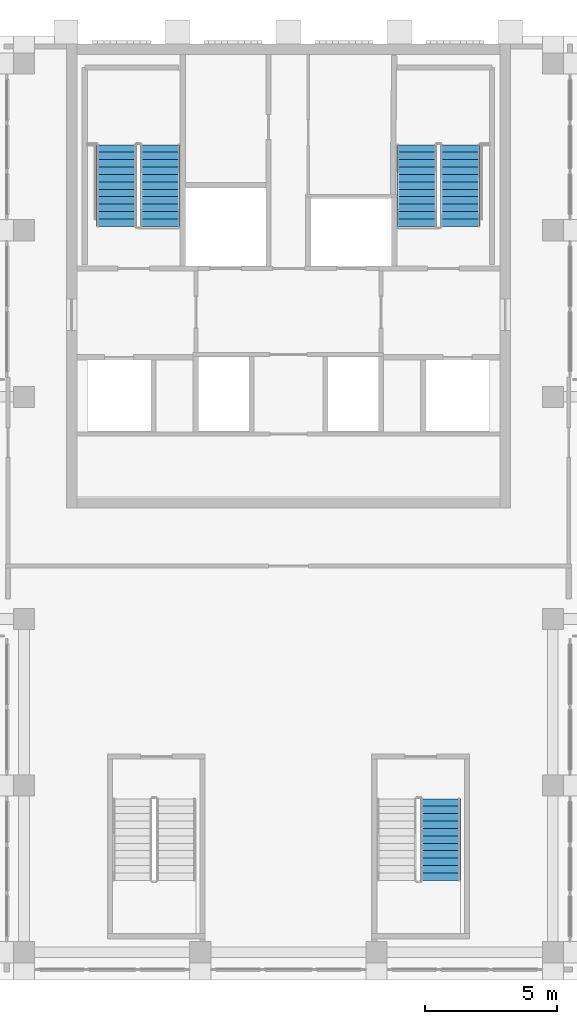
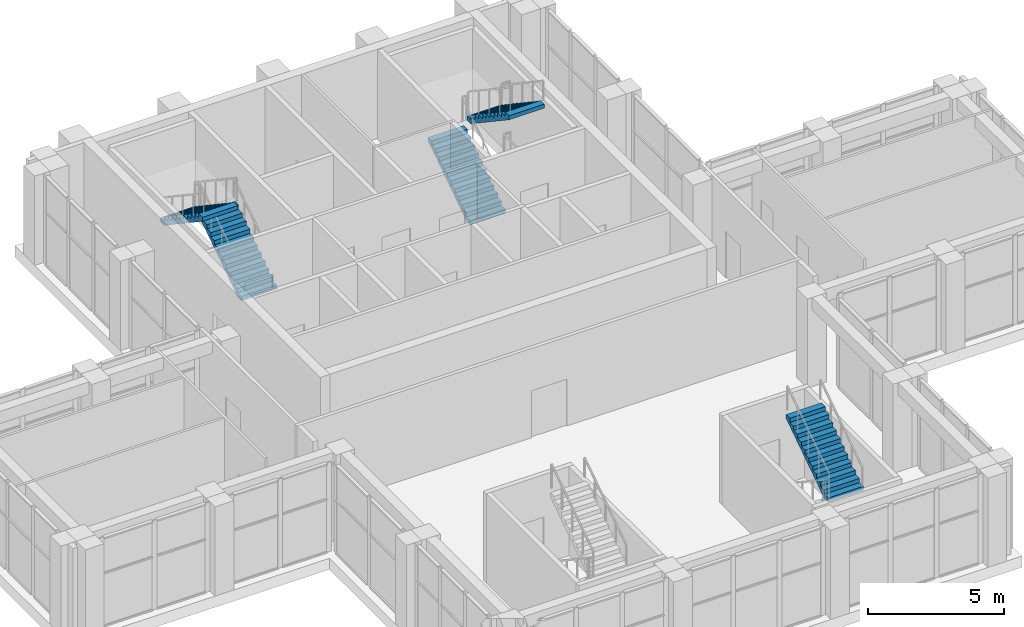
# One storey, part 11 of 14: 5 stair flights, 3 elements without a shape of their own.
"""IFC4 building model written with IfcOpenShell, lengths in metres."""

from ifc_helpers import new_model, si_unit, direction, frame, origin, place, context, subcontext, project, spatial, polyline, outline, extrude, material, type_object, element, aggregate, save


model = new_model("IFC4")

# Units and contexts
model_context = context("Model", 3, precision=1e-05, world=origin(), true_north=direction((0.0, 1.0)))
body_context = subcontext(model_context, "Body", "Model", "MODEL_VIEW")
ifc_project = project(units=[si_unit("LENGTHUNIT", "METRE"), si_unit("AREAUNIT", "SQUARE_METRE"), si_unit("VOLUMEUNIT", "CUBIC_METRE"), si_unit("PLANEANGLEUNIT", "RADIAN"), si_unit("MASSUNIT", "GRAM", prefix="KILO")], contexts=[model_context])

# Site, building, storey
site_placement = place(None, origin())
site = spatial("IfcSite", under=ifc_project, at=site_placement, CompositionType="ELEMENT")
building_placement = place(site_placement, origin())
building = spatial("IfcBuilding", under=site, at=building_placement, Name="Vermilion Ogive Tower", CompositionType="ELEMENT")
storey_placement = place(building_placement, frame((0.0, 0.0, 289.35009765625)))
storey = spatial("IfcBuildingStorey", under=building, at=storey_placement, Name="L75", CompositionType="ELEMENT", Elevation=289.35009765625)

# Stair, stair flights
ifc_material_1 = material(Name="Concrete B40", Category="concrete")
stair_type = type_object("IfcStairType", Name="Exit stair 1500", PredefinedType="HALF_TURN_STAIR", material=ifc_material_1)
stair_1_placement = place(storey_placement, origin())
stair_1 = element("IfcStair", 1, at=stair_1_placement, inside=storey, type_object=stair_type, Name="L75 Exit Stair ST1", PredefinedType="HALF_TURN_STAIR")
ifc_material_2 = material(Name="Concrete B40", Category="concrete")
stair_flight_type = type_object("IfcStairFlightType", Name="Stair flight 1500", PredefinedType="STRAIGHT", material=ifc_material_2)
stair_flight_1_placement = place(storey_placement, frame((-4.85009765625, 14.85009765625, 0.0), z_axis=(0.0, 0.0, 1.0), x_axis=(0.0, 1.0, 0.0)))
stair_flight_1 = element("IfcStairFlight", 2, at=stair_flight_1_placement, type_object=stair_flight_type, Name="ST1 flight 1", NumberOfRisers=12, NumberOfTreads=11, PredefinedType="STRAIGHT", RiserHeight=0.1875, TreadLength=0.28, context=body_context, shape_type="SweptSolid", body=[
    extrude(outline(polyline([(0.0, 0.0), (0.0, 0.1875), (0.280029296875, 0.1875), (0.280029296875, 0.375), (0.56005859375, 0.375), (0.56005859375, 0.5625), (0.840087890625, 0.5625), (0.840087890625, 0.75), (1.1201171875, 0.75), (1.1201171875, 0.9375), (1.39990234375, 0.9375), (1.39990234375, 1.125), (1.679931640625, 1.125), (1.679931640625, 1.3125), (1.9599609375, 1.3125), (1.9599609375, 1.5), (2.239990234375, 1.5), (2.239990234375, 1.6875), (2.52001953125, 1.6875), (2.52001953125, 1.875), (2.800048828125, 1.875), (2.800048828125, 2.0625), (3.080078125, 2.0625), (3.080078125, 2.25), (3.080078125, 1.882080078125), (0.26953125, 0.0), (0.0, 0.0)])), frame((0.0, 0.75, 0.0), z_axis=(0.0, -1.0, 0.0), x_axis=(1.0, 0.0, 0.0)), (0.0, 0.0, 1.0), 1.5),
])
stair_flight_2_placement = place(storey_placement, frame((-6.5, 17.929931640625, 2.25), z_axis=(0.0, 0.0, 1.0), x_axis=(0.0, -1.0, 0.0)))
stair_flight_2 = element("IfcStairFlight", 3, at=stair_flight_2_placement, type_object=stair_flight_type, Name="ST1 flight 2", NumberOfRisers=12, NumberOfTreads=11, PredefinedType="STRAIGHT", RiserHeight=0.1875, TreadLength=0.28, context=body_context, shape_type="SweptSolid", body=[
    extrude(outline(polyline([(0.0, 0.0), (0.0, 0.1875), (0.280029296875, 0.1875), (0.280029296875, 0.375), (0.56005859375, 0.375), (0.56005859375, 0.5625), (0.840087890625, 0.5625), (0.840087890625, 0.75), (1.1201171875, 0.75), (1.1201171875, 0.9375), (1.39990234375, 0.9375), (1.39990234375, 1.125), (1.679931640625, 1.125), (1.679931640625, 1.3125), (1.9599609375, 1.3125), (1.9599609375, 1.5), (2.239990234375, 1.5), (2.239990234375, 1.6875), (2.52001953125, 1.6875), (2.52001953125, 1.875), (2.800048828125, 1.875), (2.800048828125, 2.0625), (3.080078125, 2.0625), (3.080078125, 2.25), (3.080078125, 1.882080078125), (0.26953125, 0.0), (0.0, 0.0)])), frame((0.0, 0.75, 0.0), z_axis=(0.0, -1.0, 0.0), x_axis=(1.0, 0.0, 0.0)), (0.0, 0.0, 1.0), 1.5),
])
aggregate(stair_1, [stair_flight_1, stair_flight_2])

stair_2_placement = place(storey_placement, origin())
stair_2 = element("IfcStair", 4, at=stair_2_placement, inside=storey, type_object=stair_type, Name="L75 Exit Stair ST2", PredefinedType="HALF_TURN_STAIR")
stair_flight_3_placement = place(storey_placement, frame((4.85009765625, 14.85009765625, 0.0), z_axis=(0.0, 0.0, 1.0), x_axis=(0.0, 1.0, 0.0)))
stair_flight_3 = element("IfcStairFlight", 5, at=stair_flight_3_placement, type_object=stair_flight_type, Name="ST2 flight 1", NumberOfRisers=12, NumberOfTreads=11, PredefinedType="STRAIGHT", RiserHeight=0.1875, TreadLength=0.28, context=body_context, shape_type="SweptSolid", body=[
    extrude(outline(polyline([(0.0, 0.0), (0.0, 0.1875), (0.280029296875, 0.1875), (0.280029296875, 0.375), (0.56005859375, 0.375), (0.56005859375, 0.5625), (0.840087890625, 0.5625), (0.840087890625, 0.75), (1.1201171875, 0.75), (1.1201171875, 0.9375), (1.39990234375, 0.9375), (1.39990234375, 1.125), (1.679931640625, 1.125), (1.679931640625, 1.3125), (1.9599609375, 1.3125), (1.9599609375, 1.5), (2.239990234375, 1.5), (2.239990234375, 1.6875), (2.52001953125, 1.6875), (2.52001953125, 1.875), (2.800048828125, 1.875), (2.800048828125, 2.0625), (3.080078125, 2.0625), (3.080078125, 2.25), (3.080078125, 1.882080078125), (0.26953125, 0.0), (0.0, 0.0)])), frame((0.0, 0.75, 0.0), z_axis=(0.0, -1.0, 0.0), x_axis=(1.0, 0.0, 0.0)), (0.0, 0.0, 1.0), 1.5),
])
stair_flight_4_placement = place(storey_placement, frame((6.5, 17.929931640625, 2.25), z_axis=(0.0, 0.0, 1.0), x_axis=(0.0, -1.0, 0.0)))
stair_flight_4 = element("IfcStairFlight", 6, at=stair_flight_4_placement, type_object=stair_flight_type, Name="ST2 flight 2", NumberOfRisers=12, NumberOfTreads=11, PredefinedType="STRAIGHT", RiserHeight=0.1875, TreadLength=0.28, context=body_context, shape_type="SweptSolid", body=[
    extrude(outline(polyline([(0.0, 0.0), (0.0, 0.1875), (0.280029296875, 0.1875), (0.280029296875, 0.375), (0.56005859375, 0.375), (0.56005859375, 0.5625), (0.840087890625, 0.5625), (0.840087890625, 0.75), (1.1201171875, 0.75), (1.1201171875, 0.9375), (1.39990234375, 0.9375), (1.39990234375, 1.125), (1.679931640625, 1.125), (1.679931640625, 1.3125), (1.9599609375, 1.3125), (1.9599609375, 1.5), (2.239990234375, 1.5), (2.239990234375, 1.6875), (2.52001953125, 1.6875), (2.52001953125, 1.875), (2.800048828125, 1.875), (2.800048828125, 2.0625), (3.080078125, 2.0625), (3.080078125, 2.25), (3.080078125, 1.882080078125), (0.26953125, 0.0), (0.0, 0.0)])), frame((0.0, 0.75, 0.0), z_axis=(0.0, -1.0, 0.0), x_axis=(1.0, 0.0, 0.0)), (0.0, 0.0, 1.0), 1.5),
])
aggregate(stair_2, [stair_flight_3, stair_flight_4])

# Stair, stair flight
stair_3_placement = place(storey_placement, origin())
stair_3 = element("IfcStair", 7, at=stair_3_placement, inside=storey, type_object=stair_type, Name="L75 Exit Stair ST6", PredefinedType="HALF_TURN_STAIR")
stair_flight_5_placement = place(storey_placement, frame((5.75, -9.8798828125, 2.25), z_axis=(0.0, 0.0, 1.0), x_axis=(0.0, 1.0, 0.0)))
stair_flight_5 = element("IfcStairFlight", 8, at=stair_flight_5_placement, type_object=stair_flight_type, Name="ST6 flight 2", NumberOfRisers=12, NumberOfTreads=11, PredefinedType="STRAIGHT", RiserHeight=0.1875, TreadLength=0.28, context=body_context, shape_type="SweptSolid", body=[
    extrude(outline(polyline([(0.0, 0.0), (0.0, 0.1875), (0.280029296875, 0.1875), (0.280029296875, 0.375), (0.56005859375, 0.375), (0.56005859375, 0.5625), (0.840087890625, 0.5625), (0.840087890625, 0.75), (1.1201171875, 0.75), (1.1201171875, 0.9375), (1.39990234375, 0.9375), (1.39990234375, 1.125), (1.679931640625, 1.125), (1.679931640625, 1.3125), (1.9599609375, 1.3125), (1.9599609375, 1.5), (2.239990234375, 1.5), (2.239990234375, 1.6875), (2.52001953125, 1.6875), (2.52001953125, 1.875), (2.800048828125, 1.875), (2.800048828125, 2.0625), (3.080078125, 2.0625), (3.080078125, 2.25), (3.080078125, 1.882080078125), (0.26953125, 0.0), (0.0, 0.0)])), frame((0.0, 0.75, 0.0), z_axis=(0.0, -1.0, 0.0), x_axis=(1.0, 0.0, 0.0)), (0.0, 0.0, 1.0), 1.5),
])
aggregate(stair_3, [stair_flight_5])

save(model, "model.ifc")
